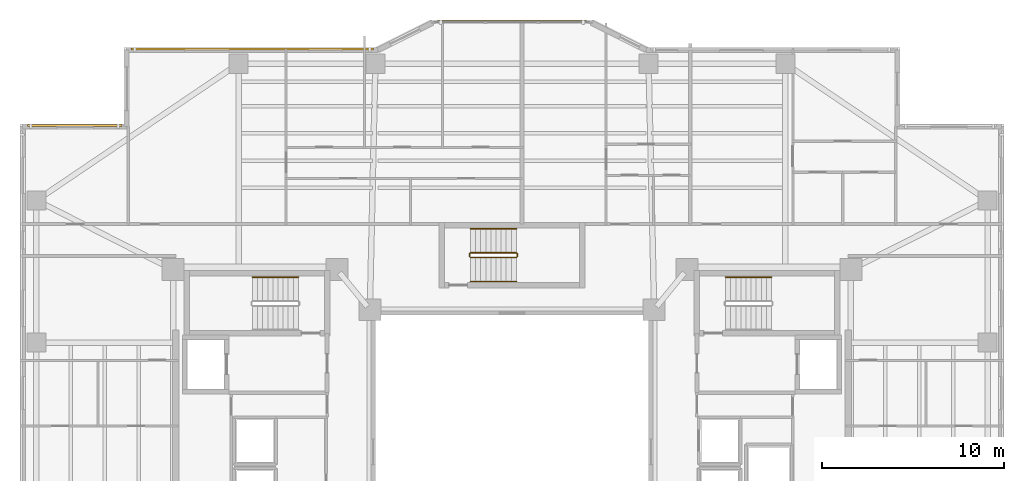
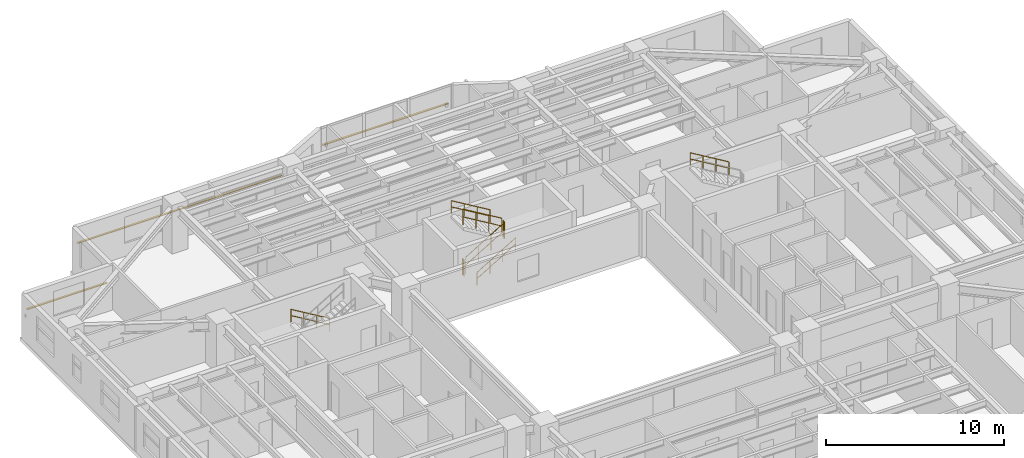
# One storey, part 17 of 18: 8 railings, 3 shading devices.
"""IFC4 building model written with IfcOpenShell, lengths in metres."""

from ifc_helpers import new_model, si_unit, direction, frame, origin, origin_2d, place, context, subcontext, project, spatial, rectangle, circle, extrude, material, material_profile, profile_set, type_object, element, save


model = new_model("IFC4")

# Units and contexts
model_context = context("Model", 3, precision=1e-05, world=origin(), true_north=direction((0.0, 1.0)))
body_context = subcontext(model_context, "Body", "Model", "MODEL_VIEW")
ifc_project = project(units=[si_unit("LENGTHUNIT", "METRE"), si_unit("AREAUNIT", "SQUARE_METRE"), si_unit("VOLUMEUNIT", "CUBIC_METRE"), si_unit("PLANEANGLEUNIT", "RADIAN"), si_unit("MASSUNIT", "GRAM", prefix="KILO")], contexts=[model_context])

# Site, building, storey
site_placement = place(None, origin())
site = spatial("IfcSite", under=ifc_project, at=site_placement, CompositionType="ELEMENT")
building_placement = place(site_placement, origin())
building = spatial("IfcBuilding", under=site, at=building_placement, Name="Tarnavaz Court Tower", CompositionType="ELEMENT")
storey_placement = place(building_placement, frame((0.0, 0.0, 95.050048828125)))
storey = spatial("IfcBuildingStorey", under=building, at=storey_placement, Name="L25", CompositionType="ELEMENT", Elevation=95.050048828125)

# Railings
ifc_material_1 = material(Name="Brushed Stainless Steel", Category="steel")
railing_type_1 = type_object("IfcRailingType", Name="RL-HANDRAIL-900", PredefinedType="HANDRAIL", material=ifc_material_1)
railing_1_placement = place(storey_placement, frame((-11.719970703125, 9.590087890625, 0.16748046875)))
element("IfcRailing", 1, at=railing_1_placement, inside=storey, type_object=railing_type_1, Name="L25 ST-W1 stair handrail 1", PredefinedType="HANDRAIL", context=body_context, shape_type="SweptSolid", body=[
    extrude(circle(Radius=0.02392578125, at=origin_2d()), frame((0.0, 0.0, 0.8759765625), z_axis=(-0.858159760407, 0.0, 0.513382728203), x_axis=(0.0, -1.0, 0.0)), (0.0, 0.0, 1.0), 2.9365234375),
    extrude(circle(Radius=0.02392578125, at=origin_2d()), frame((0.0, 0.0, 0.449951171875), z_axis=(-0.858159760407, 0.0, 0.513382728203), x_axis=(0.0, -1.0, 0.0)), (0.0, 0.0, 1.0), 2.9365234375),
    extrude(circle(Radius=0.02099609375, at=origin_2d()), origin(), (0.0, 0.0, 1.0), 0.851806640625),
    extrude(circle(Radius=0.02099609375, at=origin_2d()), frame((-0.840087890625, 0.0, 0.50244140625)), (0.0, 0.0, 1.0), 0.851806640625),
    extrude(circle(Radius=0.02099609375, at=origin_2d()), frame((-1.679931640625, 0.0, 1.005126953125)), (0.0, 0.0, 1.0), 0.851806640625),
    extrude(circle(Radius=0.02099609375, at=origin_2d()), frame((-2.52001953125, 0.0, 1.507568359375)), (0.0, 0.0, 1.0), 0.851806640625),
])
railing_2_placement = place(storey_placement, frame((14.239990234375, 9.590087890625, 1.842529296875)))
element("IfcRailing", 2, at=railing_2_placement, inside=storey, type_object=railing_type_1, Name="L25 ST-E1 stair handrail 2", PredefinedType="HANDRAIL", context=body_context, shape_type="SweptSolid", body=[
    extrude(circle(Radius=0.02392578125, at=origin_2d()), frame((0.0, 0.0, 0.8759765625), z_axis=(-0.858196387827, 0.0, 0.513321497621), x_axis=(0.0, -1.0, 0.0)), (0.0, 0.0, 1.0), 2.9365234375),
    extrude(circle(Radius=0.02392578125, at=origin_2d()), frame((0.0, 0.0, 0.449951171875), z_axis=(-0.858196387827, 0.0, 0.513321497621), x_axis=(0.0, -1.0, 0.0)), (0.0, 0.0, 1.0), 2.9365234375),
    extrude(circle(Radius=0.02099609375, at=origin_2d()), origin(), (0.0, 0.0, 1.0), 0.851806640625),
    extrude(circle(Radius=0.02099609375, at=origin_2d()), frame((-0.840087890625, 0.0, 0.50244140625)), (0.0, 0.0, 1.0), 0.851806640625),
    extrude(circle(Radius=0.02099609375, at=origin_2d()), frame((-1.679931640625, 0.0, 1.0048828125)), (0.0, 0.0, 1.0), 0.851806640625),
    extrude(circle(Radius=0.02099609375, at=origin_2d()), frame((-2.52001953125, 0.0, 1.50732421875)), (0.0, 0.0, 1.0), 0.851806640625),
])
railing_3_placement = place(storey_placement, frame((-2.280029296875, 9.35009765625, 0.16748046875)))
element("IfcRailing", 3, at=railing_3_placement, inside=storey, type_object=railing_type_1, Name="L25 ST-N1 stair handrail 1", PredefinedType="HANDRAIL", context=body_context, shape_type="SweptSolid", body=[
    extrude(circle(Radius=0.02392578125, at=origin_2d()), frame((0.0, 0.0, 0.8759765625), z_axis=(0.858159760407, 0.0, 0.513382728203), x_axis=(0.0, 1.0, 0.0)), (0.0, 0.0, 1.0), 2.9365234375),
    extrude(circle(Radius=0.02392578125, at=origin_2d()), frame((0.0, 0.0, 0.449951171875), z_axis=(0.858159760407, 0.0, 0.513382728203), x_axis=(0.0, 1.0, 0.0)), (0.0, 0.0, 1.0), 2.9365234375),
    extrude(circle(Radius=0.02099609375, at=origin_2d()), origin(), (0.0, 0.0, 1.0), 0.851806640625),
    extrude(circle(Radius=0.02099609375, at=origin_2d()), frame((0.840087890625, 0.0, 0.50244140625)), (0.0, 0.0, 1.0), 0.851806640625),
    extrude(circle(Radius=0.02099609375, at=origin_2d()), frame((1.679931640625, 0.0, 1.005126953125)), (0.0, 0.0, 1.0), 0.851806640625),
    extrude(circle(Radius=0.02099609375, at=origin_2d()), frame((2.52001953125, 0.0, 1.507568359375)), (0.0, 0.0, 1.0), 0.851806640625),
])
railing_4_placement = place(storey_placement, frame((0.239990234375, 12.239990234375, 1.842529296875)))
element("IfcRailing", 4, at=railing_4_placement, inside=storey, type_object=railing_type_1, Name="L25 ST-N1 stair handrail 2", PredefinedType="HANDRAIL", context=body_context, shape_type="SweptSolid", body=[
    extrude(circle(Radius=0.02392578125, at=origin_2d()), frame((0.0, 0.0, 0.8759765625), z_axis=(-0.858196387827, 0.0, 0.513321497621), x_axis=(0.0, -1.0, 0.0)), (0.0, 0.0, 1.0), 2.9365234375),
    extrude(circle(Radius=0.02392578125, at=origin_2d()), frame((0.0, 0.0, 0.449951171875), z_axis=(-0.858196387827, 0.0, 0.513321497621), x_axis=(0.0, -1.0, 0.0)), (0.0, 0.0, 1.0), 2.9365234375),
    extrude(circle(Radius=0.02099609375, at=origin_2d()), origin(), (0.0, 0.0, 1.0), 0.851806640625),
    extrude(circle(Radius=0.02099609375, at=origin_2d()), frame((-0.840087890625, 0.0, 0.50244140625)), (0.0, 0.0, 1.0), 0.851806640625),
    extrude(circle(Radius=0.02099609375, at=origin_2d()), frame((-1.679931640625, 0.0, 1.0048828125)), (0.0, 0.0, 1.0), 0.851806640625),
    extrude(circle(Radius=0.02099609375, at=origin_2d()), frame((-2.52001953125, 0.0, 1.50732421875)), (0.0, 0.0, 1.0), 0.851806640625),
])
ifc_material_2 = material(Name="Galvanized Painted Tubular Steel", Category="steel")
railing_type_2 = type_object("IfcRailingType", Name="RL-STGUARD-1120", PredefinedType="GUARDRAIL", material=ifc_material_2)
railing_5_placement = place(storey_placement, frame((-2.280029296875, 10.669921875, 0.16748046875)))
element("IfcRailing", 5, at=railing_5_placement, inside=storey, type_object=railing_type_2, Name="L25 ST-N1 stair guard 1", PredefinedType="GUARDRAIL", context=body_context, shape_type="SweptSolid", body=[
    extrude(circle(Radius=0.02392578125, at=origin_2d()), frame((0.0, 0.0, 1.09619140625), z_axis=(0.858159760407, 0.0, 0.513382728203), x_axis=(0.0, 1.0, 0.0)), (0.0, 0.0, 1.0), 2.9365234375),
    extrude(circle(Radius=0.02392578125, at=origin_2d()), frame((0.0, 0.0, 0.56005859375), z_axis=(0.858159760407, 0.0, 0.513382728203), x_axis=(0.0, 1.0, 0.0)), (0.0, 0.0, 1.0), 2.9365234375),
    extrude(circle(Radius=0.02099609375, at=origin_2d()), origin(), (0.0, 0.0, 1.0), 1.072021484375),
    extrude(circle(Radius=0.02099609375, at=origin_2d()), frame((0.840087890625, 0.0, 0.50244140625)), (0.0, 0.0, 1.0), 1.072021484375),
    extrude(circle(Radius=0.02099609375, at=origin_2d()), frame((1.679931640625, 0.0, 1.005126953125)), (0.0, 0.0, 1.0), 1.072021484375),
    extrude(circle(Radius=0.02099609375, at=origin_2d()), frame((2.52001953125, 0.0, 1.507568359375)), (0.0, 0.0, 1.0), 1.072021484375),
])
railing_6_placement = place(storey_placement, frame((0.2900390625, 10.719970703125, 1.675048828125)))
element("IfcRailing", 6, at=railing_6_placement, inside=storey, type_object=railing_type_2, Name="L25 ST-N1 stair guard 2", PredefinedType="GUARDRAIL", context=body_context, shape_type="SweptSolid", body=[
    extrude(circle(Radius=0.02392578125, at=origin_2d()), frame((0.0, 0.0, 1.09619140625), z_axis=(0.0, 1.0, 0.0), x_axis=(-1.0, 0.0, 0.0)), (0.0, 0.0, 1.0), 0.150146484375),
    extrude(circle(Radius=0.02392578125, at=origin_2d()), frame((0.0, 0.0, 0.56005859375), z_axis=(0.0, 1.0, 0.0), x_axis=(-1.0, 0.0, 0.0)), (0.0, 0.0, 1.0), 0.150146484375),
    extrude(circle(Radius=0.02099609375, at=origin_2d()), origin(), (0.0, 0.0, 1.0), 1.072021484375),
    extrude(circle(Radius=0.02099609375, at=origin_2d()), frame((0.0, 0.150146484375, 0.0)), (0.0, 0.0, 1.0), 1.072021484375),
])
railing_7_placement = place(storey_placement, frame((0.239990234375, 10.919921875, 1.842529296875)))
element("IfcRailing", 7, at=railing_7_placement, inside=storey, type_object=railing_type_2, Name="L25 ST-N1 stair guard 3", PredefinedType="GUARDRAIL", context=body_context, shape_type="SweptSolid", body=[
    extrude(circle(Radius=0.02392578125, at=origin_2d()), frame((0.0, 0.0, 1.09619140625), z_axis=(-0.858196387827, 0.0, 0.513321497621), x_axis=(0.0, -1.0, 0.0)), (0.0, 0.0, 1.0), 2.9365234375),
    extrude(circle(Radius=0.02392578125, at=origin_2d()), frame((0.0, 0.0, 0.56005859375), z_axis=(-0.858196387827, 0.0, 0.513321497621), x_axis=(0.0, -1.0, 0.0)), (0.0, 0.0, 1.0), 2.9365234375),
    extrude(circle(Radius=0.02099609375, at=origin_2d()), origin(), (0.0, 0.0, 1.0), 1.072021484375),
    extrude(circle(Radius=0.02099609375, at=origin_2d()), frame((-0.840087890625, 0.0, 0.50244140625)), (0.0, 0.0, 1.0), 1.072021484375),
    extrude(circle(Radius=0.02099609375, at=origin_2d()), frame((-1.679931640625, 0.0, 1.0048828125)), (0.0, 0.0, 1.0), 1.072021484375),
    extrude(circle(Radius=0.02099609375, at=origin_2d()), frame((-2.52001953125, 0.0, 1.50732421875)), (0.0, 0.0, 1.0), 1.072021484375),
])
railing_8_placement = place(storey_placement, frame((-2.330078125, 10.719970703125, 0.0)))
element("IfcRailing", 8, at=railing_8_placement, inside=storey, type_object=railing_type_2, Name="L25 ST-N1 stair guard 4", PredefinedType="GUARDRAIL", context=body_context, shape_type="SweptSolid", body=[
    extrude(circle(Radius=0.02392578125, at=origin_2d()), frame((0.0, 0.0, 1.09619140625), z_axis=(0.0, 1.0, 0.0), x_axis=(-1.0, 0.0, 0.0)), (0.0, 0.0, 1.0), 0.150146484375),
    extrude(circle(Radius=0.02392578125, at=origin_2d()), frame((0.0, 0.0, 0.56005859375), z_axis=(0.0, 1.0, 0.0), x_axis=(-1.0, 0.0, 0.0)), (0.0, 0.0, 1.0), 0.150146484375),
    extrude(circle(Radius=0.02099609375, at=origin_2d()), origin(), (0.0, 0.0, 1.0), 1.072021484375),
    extrude(circle(Radius=0.02099609375, at=origin_2d()), frame((0.0, 0.150146484375, 0.0)), (0.0, 0.0, 1.0), 1.072021484375),
])

# Shading devices
ifc_material_3 = material(Name="Kiln-Fired Khorasan Terracotta Ceramic", Category="masonry")
ifc_material_profile = material_profile(ifc_material_3, rectangle(XDim=0.1201171875, YDim=0.06005859375, at=origin_2d()), Name="TC BAGUETTE 120X60")
ifc_profile_set = profile_set([ifc_material_profile], Name="Kiln-Fired Khorasan Terracotta Ceramic")
shading_device_type = type_object("IfcShadingDeviceType", Name="SD-BAG-120", PredefinedType="USERDEFINED", material=ifc_profile_set)
shading_device_1_placement = place(storey_placement, frame((-26.60009765625, 17.909912109375, 1.849853515625), z_axis=(1.0, 0.0, 0.0), x_axis=(0.0, 1.0, 0.0)))
element("IfcShadingDevice", 9, at=shading_device_1_placement, inside=storey, type_object=shading_device_type, Name="L25 Terracotta Baguette Screen FBG03", ObjectType="BAGUETTE", PredefinedType="USERDEFINED", context=body_context, shape_type="SweptSolid", body=[
    extrude(rectangle(XDim=0.1201171875, YDim=0.06005859375, at=origin_2d()), origin(), (0.0, 0.0, 1.0), 5.2001953125),
])
shading_device_2_placement = place(storey_placement, frame((-20.89990234375, 22.110107421875, 1.849853515625), z_axis=(1.0, 0.0, 0.0), x_axis=(0.0, 1.0, 0.0)))
element("IfcShadingDevice", 10, at=shading_device_2_placement, inside=storey, type_object=shading_device_type, Name="L25 Terracotta Baguette Screen FBG05", ObjectType="BAGUETTE", PredefinedType="USERDEFINED", context=body_context, shape_type="SweptSolid", body=[
    extrude(rectangle(XDim=0.1201171875, YDim=0.06005859375, at=origin_2d()), origin(), (0.0, 0.0, 1.0), 13.2998046875),
])
shading_device_3_placement = place(storey_placement, frame((-4.10009765625, 23.610107421875, 1.800048828125), z_axis=(1.0, 0.0, 0.0), x_axis=(0.0, 1.0, 0.0)))
element("IfcShadingDevice", 11, at=shading_device_3_placement, inside=storey, type_object=shading_device_type, Name="L25 Terracotta Baguette Screen PBG7", ObjectType="BAGUETTE", PredefinedType="USERDEFINED", context=body_context, shape_type="SweptSolid", body=[
    extrude(rectangle(XDim=0.1201171875, YDim=0.06005859375, at=origin_2d()), origin(), (0.0, 0.0, 1.0), 8.2001953125),
])

save(model, "model.ifc")
